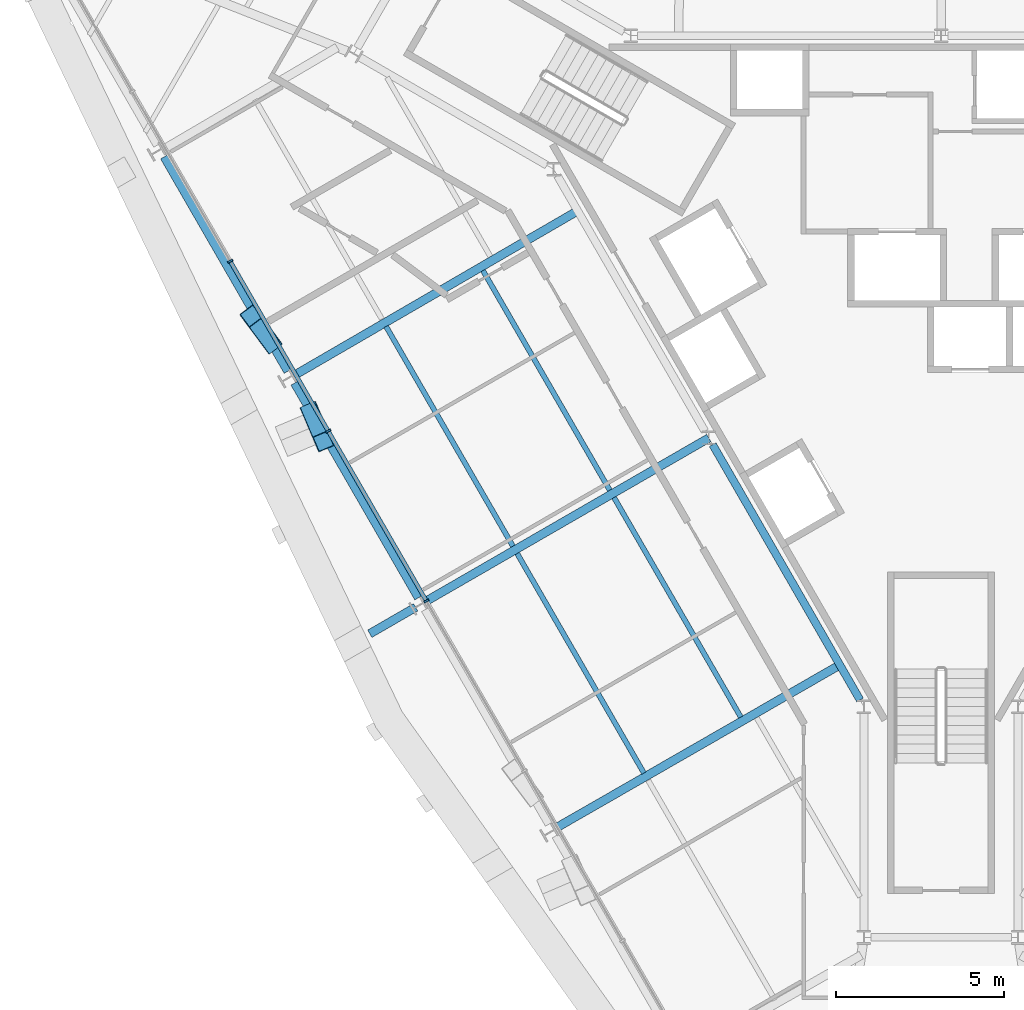
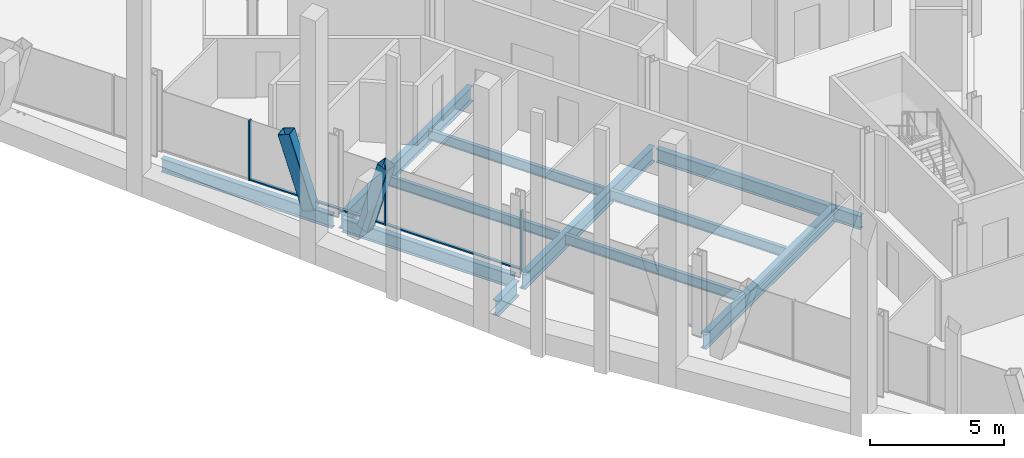
# One storey, part 4 of 17: 11 beams, 7 members, 1 element without a shape of its own.
"""IFC4 building model written with IfcOpenShell, lengths in metres."""

import ifcopenshell
import ifcopenshell.guid

model = None  # the IFC model being written
_history = None  # IfcOwnerHistory: only IFC2X3 demands one
_inside = {}  # id of a spatial element -> (the spatial element, [elements in it])
_under = {}  # id of a project, library or spatial element -> (it, [spatial elements below it])
_declared = {}  # id of a project -> (the project, [libraries it declares])
_typed = {}  # id of a type object -> (the type object, [elements of that type])
_made_of = {}  # id of a material, layer set ... -> (it, [elements and type objects made of it])


def new_model(schema):
    """Start an empty IFC model of exactly this schema.

    Asked for "IFC4X3", IfcOpenShell would pick the latest addendum, in which some entities
    have other attributes; the version numbers below select the first issue.
    IFC2X3 requires an IfcOwnerHistory on every rooted entity: one is made here for all.
    """
    global model, _history
    if schema == "IFC4X3":
        model = ifcopenshell.file(schema_version=(4, 3, 0, 0))
    else:
        model = ifcopenshell.file(schema=schema)
    _inside.clear()
    _under.clear()
    _declared.clear()
    _typed.clear()
    _made_of.clear()
    _history = None
    if model.schema == "IFC2X3":
        org = make("IfcOrganization", Name="unknown")
        user = make(
            "IfcPersonAndOrganization",
            ThePerson=make("IfcPerson", FamilyName="unknown"),
            TheOrganization=org,
        )
        app = make(
            "IfcApplication",
            ApplicationDeveloper=org,
            Version="unknown",
            ApplicationFullName="unknown",
            ApplicationIdentifier="unknown",
        )
        _history = make(
            "IfcOwnerHistory",
            OwningUser=user,
            OwningApplication=app,
            ChangeAction="ADDED",
            CreationDate=0,
        )
    return model


def make(cls, **values):
    """One entity of the class cls with the attributes given. An attribute that is None is left unset."""
    return model.create_entity(
        cls, **{name: value for name, value in values.items() if value is not None}
    )


def rooted(cls, **values):
    """An entity with a GlobalId (a new one), such as an element, a storey or a relation."""
    return make(cls, GlobalId=ifcopenshell.guid.new(), OwnerHistory=_history, **values)


def si_unit(unit_type, name, prefix=None):
    """IfcSIUnit, for example si_unit("LENGTHUNIT", "METRE", prefix="MILLI")."""
    return make("IfcSIUnit", UnitType=unit_type, Prefix=prefix, Name=name)


def assignment(units):
    """IfcUnitAssignment: the units of a project."""
    return None if units is None else make("IfcUnitAssignment", Units=units)


def point(xyz):
    """IfcCartesianPoint."""
    return None if xyz is None else make("IfcCartesianPoint", Coordinates=xyz)


def direction(xyz):
    """IfcDirection."""
    return None if xyz is None else make("IfcDirection", DirectionRatios=xyz)


def frame(location, z_axis=None, x_axis=None):
    """IfcAxis2Placement3D, a coordinate frame: its origin and axes. An axis left out is left unset."""
    return make(
        "IfcAxis2Placement3D",
        Location=point(location),
        Axis=direction(z_axis),
        RefDirection=direction(x_axis),
    )


def frame_2d(location, x_axis=None):
    """IfcAxis2Placement2D, a coordinate frame in the plane: its origin and x axis."""
    return make(
        "IfcAxis2Placement2D", Location=point(location), RefDirection=direction(x_axis)
    )


def origin():
    """The frame at (0, 0, 0) with its axes left unset."""
    return frame((0.0, 0.0, 0.0))


def origin_2d():
    """The frame at (0, 0) in the plane with its x axis left unset."""
    return frame_2d((0.0, 0.0))


def place(relative_to, where):
    """IfcLocalPlacement: puts the frame where relative to a parent placement (None: the world)."""
    return make(
        "IfcLocalPlacement", PlacementRelTo=relative_to, RelativePlacement=where
    )


def context(
    kind, dimensions, precision=None, world=None, true_north=None, identifier=None
):
    """IfcGeometricRepresentationContext, for example the 3D "Model" context."""
    return make(
        "IfcGeometricRepresentationContext",
        ContextIdentifier=identifier,
        ContextType=kind,
        CoordinateSpaceDimension=dimensions,
        Precision=precision,
        WorldCoordinateSystem=world,
        TrueNorth=true_north,
    )


def subcontext(parent, identifier, kind, view, scale=None):
    """IfcGeometricRepresentationSubContext, for example "Body" below "Model"."""
    return make(
        "IfcGeometricRepresentationSubContext",
        ContextIdentifier=identifier,
        ContextType=kind,
        ParentContext=parent,
        TargetScale=scale,
        TargetView=view,
    )


def project(units=None, contexts=None):
    """IfcProject with its units and contexts."""
    return rooted(
        "IfcProject",
        Name="project",
        RepresentationContexts=contexts,
        UnitsInContext=assignment(units),
    )


def spatial(cls, under=None, at=None, **own):
    """A site, building, storey or space (cls), placed at a placement, below another one or the project."""
    s = rooted(cls, ObjectPlacement=at, **own)
    if under is not None:
        _under.setdefault(under.id(), (under, []))[1].append(s)
    return s


def profile(cls, at=None, kind="AREA", **sizes):
    """A parametric profile (cls). Its sizes go by their IFC names, for example OverallWidth=200.0."""
    return make(cls, ProfileType=kind, Position=at, **sizes)


def rectangle(**sizes):
    """IfcRectangleProfileDef."""
    return profile("IfcRectangleProfileDef", **sizes)


def hollow_rectangle(**sizes):
    """IfcRectangleHollowProfileDef."""
    return profile("IfcRectangleHollowProfileDef", **sizes)


def i_section(**sizes):
    """IfcIShapeProfileDef."""
    return profile("IfcIShapeProfileDef", **sizes)


def extrude(swept, where, along, depth):
    """IfcExtrudedAreaSolid: the profile swept, set in the frame where, extruded along a direction by depth."""
    return make(
        "IfcExtrudedAreaSolid",
        SweptArea=swept,
        Position=where,
        ExtrudedDirection=direction(along),
        Depth=depth,
    )


def shape(context_of_items, identifier, shape_type, items):
    """IfcShapeRepresentation: the items that make up one representation, for example the "Body"."""
    return make(
        "IfcShapeRepresentation",
        ContextOfItems=context_of_items,
        RepresentationIdentifier=identifier,
        RepresentationType=shape_type,
        Items=items,
    )


def material(Name=None, Category=None):
    """IfcMaterial."""
    return make("IfcMaterial", Name=Name, Category=Category)


def material_profile(
    of_material, cross_section, Name=None, Category=None, Priority=None
):
    """IfcMaterialProfile: a cross section and its material."""
    return make(
        "IfcMaterialProfile",
        Name=Name,
        Material=of_material,
        Profile=cross_section,
        Priority=Priority,
        Category=Category,
    )


def profile_set(profiles, Name=None, composite=None):
    """IfcMaterialProfileSet."""
    return make(
        "IfcMaterialProfileSet",
        Name=Name,
        MaterialProfiles=profiles,
        CompositeProfile=composite,
    )


def made_of(thing, what):
    """Note that an element or type object is made of a material, layer set ...; save() writes the relation."""
    if what is not None:
        _made_of.setdefault(what.id(), (what, []))[1].append(thing)
    return thing


def type_object(cls, material=None, **own):
    """A type object (cls), such as IfcWallType, which elements share."""
    return made_of(rooted(cls, **own), material)


def element(
    cls,
    number,
    at=None,
    inside=None,
    cuts=None,
    type_object=None,
    material=None,
    context=None,
    identifier="Body",
    shape_type=None,
    held_by="IfcProductDefinitionShape",
    body=None,
    shapes=None,
    **own,
):
    """One element of the class cls, such as IfcWall. Its Tag is "e" and its number.

    at: its placement. inside: the storey or other place that contains it. cuts: it is an
    opening in that element (IfcRelVoidsElement). A single representation is given by context,
    identifier, shape_type and body (its items); several are given by shapes. held_by: the class
    of the entity that holds the representations. save() writes the other relations.
    """
    e = rooted(cls, Tag="e%d" % number, ObjectPlacement=at, **own)
    if body is not None:
        shapes = [shape(context, identifier, shape_type, body)]
    if shapes is not None:
        e.Representation = make(held_by, Representations=shapes)
    if inside is not None:
        _inside.setdefault(inside.id(), (inside, []))[1].append(e)
    if cuts is not None:
        rooted(
            "IfcRelVoidsElement", RelatingBuildingElement=cuts, RelatedOpeningElement=e
        )
    if type_object is not None:
        _typed.setdefault(type_object.id(), (type_object, []))[1].append(e)
    return made_of(e, material)


def aggregate(whole, parts):
    """IfcRelAggregates: a whole, such as a stair, and the parts it consists of."""
    return rooted("IfcRelAggregates", RelatingObject=whole, RelatedObjects=parts)


def save(model, path):
    """Write the relations noted so far, then the file.

    IfcRelAggregates (storeys below a building ...), IfcRelContainedInSpatialStructure (elements
    in a storey), IfcRelDefinesByType, IfcRelAssociatesMaterial and IfcRelDeclares: one each for
    every whole, place, type object, material and project.
    """
    for whole, parts in _under.values():
        aggregate(whole, parts)
    for where, things in _inside.values():
        rooted(
            "IfcRelContainedInSpatialStructure",
            RelatedElements=things,
            RelatingStructure=where,
        )
    for kind, things in _typed.values():
        rooted("IfcRelDefinesByType", RelatedObjects=things, RelatingType=kind)
    for what, things in _made_of.values():
        rooted("IfcRelAssociatesMaterial", RelatedObjects=things, RelatingMaterial=what)
    for by, libraries in _declared.values():
        rooted("IfcRelDeclares", RelatingContext=by, RelatedDefinitions=libraries)
    model.write(path)


model = new_model("IFC4")

# Units and contexts
model_context = context("Model", 3, precision=1e-05, world=origin(), true_north=direction((0.0, 1.0)))
body_context = subcontext(model_context, "Body", "Model", "MODEL_VIEW")
ifc_project = project(units=[si_unit("LENGTHUNIT", "METRE"), si_unit("AREAUNIT", "SQUARE_METRE"), si_unit("VOLUMEUNIT", "CUBIC_METRE"), si_unit("PLANEANGLEUNIT", "RADIAN"), si_unit("MASSUNIT", "GRAM", prefix="KILO")], contexts=[model_context])

# Site, building, storey
site_placement = place(None, origin())
site = spatial("IfcSite", under=ifc_project, at=site_placement, CompositionType="ELEMENT")
building_placement = place(site_placement, origin())
building = spatial("IfcBuilding", under=site, at=building_placement, Name="Verrane Prism Tower", CompositionType="ELEMENT")
storey_placement = place(building_placement, frame((0.0, 0.0, 178.39990234375)))
storey = spatial("IfcBuildingStorey", under=building, at=storey_placement, Name="L44", CompositionType="ELEMENT", Elevation=178.39990234375)

# Beam
ifc_material_1 = material(Name="Steel A992", Category="steel")
ifc_material_profile_1 = material_profile(ifc_material_1, i_section(OverallWidth=0.23046875, OverallDepth=0.6171875, WebThickness=0.01318359375, FlangeThickness=0.022216796875, FilletRadius=0.012939453125, at=origin_2d()), Name="W24x94")
ifc_profile_set_1 = profile_set([ifc_material_profile_1], Name="Steel A992")
beam_type_1 = type_object("IfcBeamType", Name="Core ring girder W24x94", PredefinedType="BEAM", material=ifc_profile_set_1)
beam_1_placement = place(storey_placement, frame((-6.81494140625, -4.199462890625, -0.55859375), z_axis=(0.499988222896, -0.866032203192, 0.0), x_axis=(0.866032203192, 0.499988222896, 0.0)))
element("IfcBeam", 1, at=beam_1_placement, inside=storey, type_object=beam_type_1, Name="Core ring girder L44", PredefinedType="BEAM", context=body_context, shape_type="SweptSolid", body=[
    extrude(i_section(OverallWidth=0.23046875, OverallDepth=0.6171875, WebThickness=0.01318359375, FlangeThickness=0.022216796875, FilletRadius=0.012939453125, at=origin_2d()), origin(), (0.0, 0.0, 1.0), 8.800048828125),
])

# Members
ifc_material_2 = material(Name="Steel A500 Grade C", Category="steel")
ifc_material_profile_2 = material_profile(ifc_material_2, hollow_rectangle(XDim=0.508056640625, YDim=0.508056640625, WallThickness=0.01904296875, InnerFilletRadius=0.009521484375, OuterFilletRadius=0.028564453125, at=origin_2d()), Name="HSS20x20x3/4")
ifc_profile_set_2 = profile_set([ifc_material_profile_2], Name="Steel A500 Grade C")
member_type_1 = type_object("IfcMemberType", Name="Facade brace HSS20x20x3/4", PredefinedType="BRACE", material=ifc_profile_set_2)
member_1_placement = place(storey_placement, frame((-19.992431640625, -1.160400390625, -0.216552734375), z_axis=(-0.177180799901, 0.238234867219, 0.954908954921), x_axis=(-0.802411058014, -0.596771726857, 0.0)))
element("IfcMember", 2, at=member_1_placement, inside=storey, type_object=member_type_1, Name="Facade brace SW1 L44", PredefinedType="BRACE", context=body_context, shape_type="SweptSolid", body=[
    extrude(hollow_rectangle(XDim=0.508056640625, YDim=0.508056640625, WallThickness=0.01904296875, InnerFilletRadius=0.009521484375, OuterFilletRadius=0.028564453125, at=origin_2d()), origin(), (0.0, 0.0, 1.0), 3.346923828125),
])
member_2_placement = place(storey_placement, frame((-18.8037109375, -3.222412109375, -0.216552734375), z_axis=(0.111973337497, -0.263759417214, 0.958067294881), x_axis=(0.920487144923, 0.390772844543, 0.0)))
element("IfcMember", 3, at=member_2_placement, inside=storey, type_object=member_type_1, Name="Facade brace SW2 L44", PredefinedType="BRACE", context=body_context, shape_type="SweptSolid", body=[
    extrude(hollow_rectangle(XDim=0.508056640625, YDim=0.508056640625, WallThickness=0.01904296875, InnerFilletRadius=0.009521484375, OuterFilletRadius=0.028564453125, at=origin_2d()), origin(), (0.0, 0.0, 1.0), 3.3359375),
])

# Beams
ifc_material_3 = material(Name="Steel A992", Category="steel")
ifc_material_profile_3 = material_profile(ifc_material_3, i_section(OverallWidth=0.15234375, OverallDepth=0.449462890625, WebThickness=0.007568359375, FlangeThickness=0.0107421875, FilletRadius=0.01025390625, at=origin_2d()), Name="W18x35")
ifc_profile_set_3 = profile_set([ifc_material_profile_3], Name="Steel A992")
beam_type_2 = type_object("IfcBeamType", Name="Floor beam W18x35", PredefinedType="BEAM", material=ifc_profile_set_3)
beam_2_placement = place(storey_placement, frame((-9.883544921875, -5.56005859375, -0.384765625), z_axis=(-0.499994291072, 0.86602869981, 0.0), x_axis=(-0.86602869981, -0.499994291072, 0.0)))
element("IfcBeam", 4, at=beam_2_placement, inside=storey, type_object=beam_type_2, Name="Floor beam L44", PredefinedType="BEAM", context=body_context, shape_type="SweptSolid", body=[
    extrude(i_section(OverallWidth=0.15234375, OverallDepth=0.449462890625, WebThickness=0.007568359375, FlangeThickness=0.0107421875, FilletRadius=0.01025390625, at=origin_2d()), origin(), (0.0, 0.0, 1.0), 7.56689453125),
])
beam_3_placement = place(storey_placement, frame((-12.7734375, -7.22998046875, -0.384765625), z_axis=(-0.499999771941, 0.866025535455, 0.0), x_axis=(-0.866025535455, -0.499999771941, 0.0)))
element("IfcBeam", 5, at=beam_3_placement, inside=storey, type_object=beam_type_2, Name="Floor beam L44", PredefinedType="BEAM", context=body_context, shape_type="SweptSolid", body=[
    extrude(i_section(OverallWidth=0.15234375, OverallDepth=0.449462890625, WebThickness=0.007568359375, FlangeThickness=0.0107421875, FilletRadius=0.01025390625, at=origin_2d()), origin(), (0.0, 0.0, 1.0), 7.56982421875),
])
beam_4_placement = place(storey_placement, frame((-5.973876953125, -12.330078125, -0.384765625), z_axis=(-0.500002782129, 0.866023797515, 0.0), x_axis=(-0.866023797515, -0.500002782129, 0.0)))
element("IfcBeam", 6, at=beam_4_placement, inside=storey, type_object=beam_type_2, Name="Floor beam L44", PredefinedType="BEAM", context=body_context, shape_type="SweptSolid", body=[
    extrude(i_section(OverallWidth=0.15234375, OverallDepth=0.449462890625, WebThickness=0.007568359375, FlangeThickness=0.0107421875, FilletRadius=0.01025390625, at=origin_2d()), origin(), (0.0, 0.0, 1.0), 7.56396484375),
])
beam_5_placement = place(storey_placement, frame((-8.8642578125, -14.00048828125, -0.384765625), z_axis=(-0.499988806058, 0.866031866513, 0.0), x_axis=(-0.866031866513, -0.499988806058, 0.0)))
element("IfcBeam", 7, at=beam_5_placement, inside=storey, type_object=beam_type_2, Name="Floor beam L44", PredefinedType="BEAM", context=body_context, shape_type="SweptSolid", body=[
    extrude(i_section(OverallWidth=0.15234375, OverallDepth=0.449462890625, WebThickness=0.007568359375, FlangeThickness=0.0107421875, FilletRadius=0.01025390625, at=origin_2d()), origin(), (0.0, 0.0, 1.0), 7.564208984375),
])

# Curtain wall, members
ifc_material_4 = material(Name="Aluminium framed insulated glazing", Category="aluminium")
curtain_wall_type = type_object("IfcCurtainWallType", Name="Curtain wall CW-B 5600 module", PredefinedType="NOTDEFINED", material=ifc_material_4)
curtain_wall_placement = place(storey_placement, origin())
curtain_wall = element("IfcCurtainWall", 8, at=curtain_wall_placement, inside=storey, type_object=curtain_wall_type, Name="Glazed curtain wall south-west face L44", PredefinedType="NOTDEFINED")
ifc_material_5 = material(Name="Aluminium alloy 6063-T6", Category="aluminium")
ifc_material_profile_4 = material_profile(ifc_material_5, rectangle(XDim=0.159912109375, YDim=0.06005859375, at=origin_2d()), Name="Mullion 60x160 aluminium")
ifc_profile_set_4 = profile_set([ifc_material_profile_4], Name="Aluminium alloy 6063-T6")
member_type_2 = type_object("IfcMemberType", Name="Mullion 60x160 aluminium", PredefinedType="MULLION", material=ifc_profile_set_4)
member_3_placement = place(storey_placement, frame((-21.20751953125, 1.270751953125, 0.0), z_axis=(0.0, 0.0, 1.0), x_axis=(0.866025734201, 0.499999427701, 0.0)))
member_3 = element("IfcMember", 9, at=member_3_placement, type_object=member_type_2, Name="CW44.4 mullion 3", PredefinedType="MULLION", context=body_context, shape_type="SweptSolid", body=[
    extrude(rectangle(XDim=0.159912109375, YDim=0.06005859375, at=origin_2d()), origin(), (0.0, 0.0, 1.0), 2.712890625),
])
member_4_placement = place(storey_placement, frame((-18.281494140625, -3.79736328125, 0.0), z_axis=(0.0, 0.0, 1.0), x_axis=(0.866025734201, 0.499999427701, 0.0)))
member_4 = element("IfcMember", 10, at=member_4_placement, type_object=member_type_2, Name="CW44.4 mullion 4", PredefinedType="MULLION", context=body_context, shape_type="SweptSolid", body=[
    extrude(rectangle(XDim=0.159912109375, YDim=0.06005859375, at=origin_2d()), origin(), (0.0, 0.0, 1.0), 2.712890625),
])
member_5_placement = place(storey_placement, frame((-15.35546875, -8.865478515625, 0.0), z_axis=(0.0, 0.0, 1.0), x_axis=(0.866025734201, 0.499999427701, 0.0)))
member_5 = element("IfcMember", 11, at=member_5_placement, type_object=member_type_2, Name="CW44.4 mullion 5", PredefinedType="MULLION", context=body_context, shape_type="SweptSolid", body=[
    extrude(rectangle(XDim=0.159912109375, YDim=0.06005859375, at=origin_2d()), origin(), (0.0, 0.0, 1.0), 2.712890625),
])

# Beams
ifc_material_6 = material(Name="Steel A992", Category="steel")
ifc_material_profile_5 = material_profile(ifc_material_6, i_section(OverallWidth=0.25390625, OverallDepth=0.683349609375, WebThickness=0.012451171875, FlangeThickness=0.01904296875, FilletRadius=0.01513671875, at=origin_2d()), Name="W27x94")
ifc_profile_set_5 = profile_set([ifc_material_profile_5], Name="Steel A992")
beam_type_3 = type_object("IfcBeamType", Name="Radial girder W27x94", PredefinedType="BEAM", material=ifc_profile_set_5)
beam_6_placement = place(storey_placement, frame((-19.2177734375, -2.08740234375, -0.5615234375), z_axis=(0.864853908828, 0.502023621341, 0.0), x_axis=(-0.502023621341, 0.864853908828, 0.0)))
element("IfcBeam", 12, at=beam_6_placement, inside=storey, type_object=beam_type_3, Name="Radial girder L44", PredefinedType="BEAM", context=body_context, shape_type="SweptSolid", body=[
    extrude(i_section(OverallWidth=0.25390625, OverallDepth=0.683349609375, WebThickness=0.012451171875, FlangeThickness=0.01904296875, FilletRadius=0.01513671875, at=origin_2d()), origin(), (0.0, 0.0, 1.0), 9.685302734375),
])
beam_7_placement = place(storey_placement, frame((-15.319091796875, -8.846435546875, -0.5615234375), z_axis=(0.866096633964, 0.49987660541, 0.0), x_axis=(-0.49987660541, 0.866096633964, 0.0)))
element("IfcBeam", 13, at=beam_7_placement, inside=storey, type_object=beam_type_3, Name="Radial girder L44", PredefinedType="BEAM", context=body_context, shape_type="SweptSolid", body=[
    extrude(i_section(OverallWidth=0.25390625, OverallDepth=0.683349609375, WebThickness=0.012451171875, FlangeThickness=0.01904296875, FilletRadius=0.01513671875, at=origin_2d()), origin(), (0.0, 0.0, 1.0), 9.6884765625),
])
beam_8_placement = place(storey_placement, frame((-11.42041015625, -15.598876953125, -0.5615234375), z_axis=(0.867160191763, 0.498029318236, 0.0), x_axis=(-0.498029318236, 0.867160191763, 0.0)))
element("IfcBeam", 14, at=beam_8_placement, inside=storey, type_object=beam_type_3, Name="Radial girder L44", PredefinedType="BEAM", context=body_context, shape_type="SweptSolid", body=[
    extrude(i_section(OverallWidth=0.25390625, OverallDepth=0.683349609375, WebThickness=0.012451171875, FlangeThickness=0.01904296875, FilletRadius=0.01513671875, at=origin_2d()), origin(), (0.0, 0.0, 1.0), 9.68798828125),
])
beam_9_placement = place(storey_placement, frame((-15.67578125, -9.0537109375, -0.5615234375), z_axis=(-0.866056914757, -0.499945417423, 0.0), x_axis=(0.499945417423, -0.866056914757, 0.0)))
element("IfcBeam", 15, at=beam_9_placement, inside=storey, type_object=beam_type_3, Name="Cantilever girder L44", PredefinedType="BEAM", context=body_context, shape_type="SweptSolid", body=[
    extrude(i_section(OverallWidth=0.25390625, OverallDepth=0.683349609375, WebThickness=0.012451171875, FlangeThickness=0.01904296875, FilletRadius=0.01513671875, at=origin_2d()), origin(), (0.0, 0.0, 1.0), 1.579833984375),
])
ifc_material_7 = material(Name="Steel A992", Category="steel")
ifc_material_profile_6 = material_profile(ifc_material_7, i_section(OverallWidth=0.23046875, OverallDepth=0.6171875, WebThickness=0.01318359375, FlangeThickness=0.022216796875, FilletRadius=0.012939453125, at=origin_2d()), Name="W24x94")
ifc_profile_set_6 = profile_set([ifc_material_profile_6], Name="Steel A992")
beam_type_4 = type_object("IfcBeamType", Name="Spandrel beam W24x94", PredefinedType="SPANDREL", material=ifc_profile_set_6)
beam_10_placement = place(storey_placement, frame((-23.1865234375, 4.382080078125, -0.468505859375), z_axis=(0.499290210611, -0.866434813236, 0.0), x_axis=(0.866434813236, 0.499290210611, 0.0)))
element("IfcBeam", 16, at=beam_10_placement, inside=storey, type_object=beam_type_4, Name="Spandrel beam L44", PredefinedType="SPANDREL", context=body_context, shape_type="SweptSolid", body=[
    extrude(i_section(OverallWidth=0.23046875, OverallDepth=0.6171875, WebThickness=0.01318359375, FlangeThickness=0.022216796875, FilletRadius=0.012939453125, at=origin_2d()), origin(), (0.0, 0.0, 1.0), 7.384521484375),
])
beam_11_placement = place(storey_placement, frame((-19.29638671875, -2.3681640625, -0.468505859375), z_axis=(0.499671966799, -0.866214711024, 0.0), x_axis=(0.866214711024, 0.499671966799, 0.0)))
element("IfcBeam", 17, at=beam_11_placement, inside=storey, type_object=beam_type_4, Name="Spandrel beam L44", PredefinedType="SPANDREL", context=body_context, shape_type="SweptSolid", body=[
    extrude(i_section(OverallWidth=0.23046875, OverallDepth=0.6171875, WebThickness=0.01318359375, FlangeThickness=0.022216796875, FilletRadius=0.012939453125, at=origin_2d()), origin(), (0.0, 0.0, 1.0), 7.39599609375),
])

# Member
ifc_material_8 = material(Name="Aluminium alloy 6063-T6", Category="aluminium")
ifc_material_profile_7 = material_profile(ifc_material_8, rectangle(XDim=0.1201171875, YDim=0.06005859375, at=origin_2d()), Name="Transom 60x120 aluminium")
ifc_profile_set_7 = profile_set([ifc_material_profile_7], Name="Aluminium alloy 6063-T6")
member_type_3 = type_object("IfcMemberType", Name="Transom 60x120 aluminium", PredefinedType="USERDEFINED", material=ifc_profile_set_7)
member_6_placement = place(storey_placement, frame((-21.192626953125, 1.24462890625, 0.030029296875), z_axis=(0.499992456128, -0.866029759197, 0.0), x_axis=(0.866029759197, 0.499992456128, 0.0)))
member_6 = element("IfcMember", 18, at=member_6_placement, type_object=member_type_3, Name="CW44.4 transom 3", ObjectType="TRANSOM", PredefinedType="USERDEFINED", context=body_context, shape_type="SweptSolid", body=[
    extrude(rectangle(XDim=0.1201171875, YDim=0.06005859375, at=origin_2d()), origin(), (0.0, 0.0, 1.0), 5.7919921875),
])

member_7_placement = place(storey_placement, frame((-18.2666015625, -3.823486328125, 0.030029296875), z_axis=(0.499992456128, -0.866029759197, 0.0), x_axis=(0.866029759197, 0.499992456128, 0.0)))
member_7 = element("IfcMember", 19, at=member_7_placement, type_object=member_type_3, Name="CW44.4 transom 4", ObjectType="TRANSOM", PredefinedType="USERDEFINED", context=body_context, shape_type="SweptSolid", body=[
    extrude(rectangle(XDim=0.1201171875, YDim=0.06005859375, at=origin_2d()), origin(), (0.0, 0.0, 1.0), 5.7919921875),
])

aggregate(curtain_wall, [member_3, member_4, member_5, member_6, member_7])

save(model, "model.ifc")
